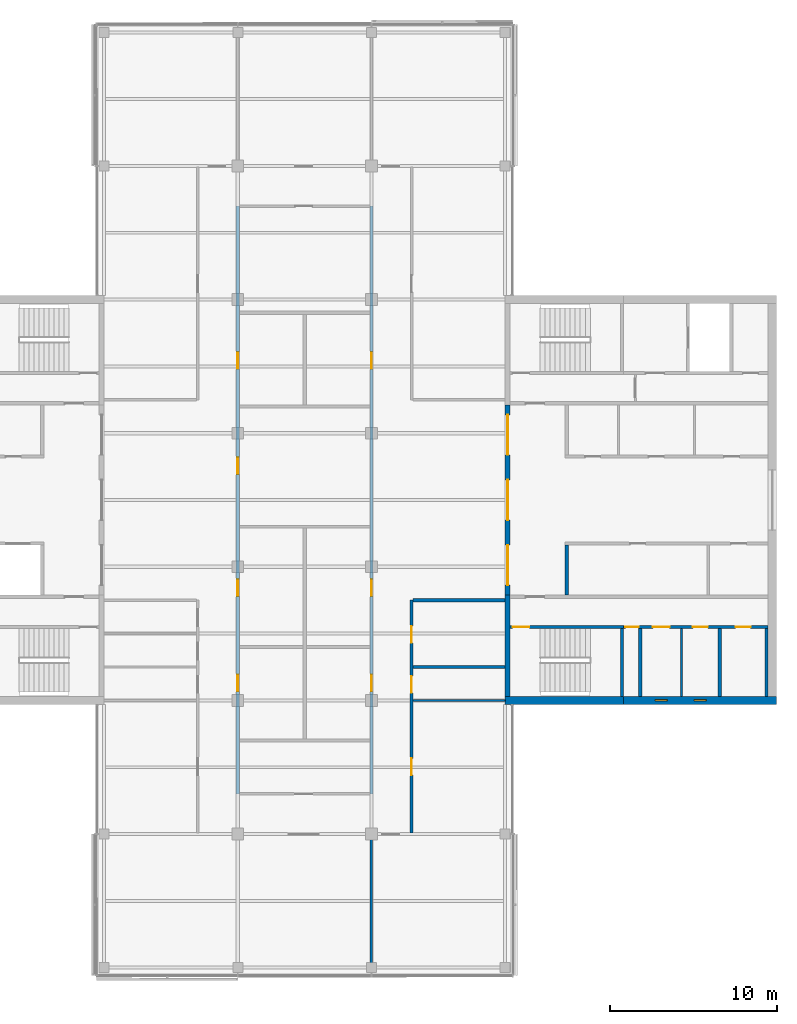
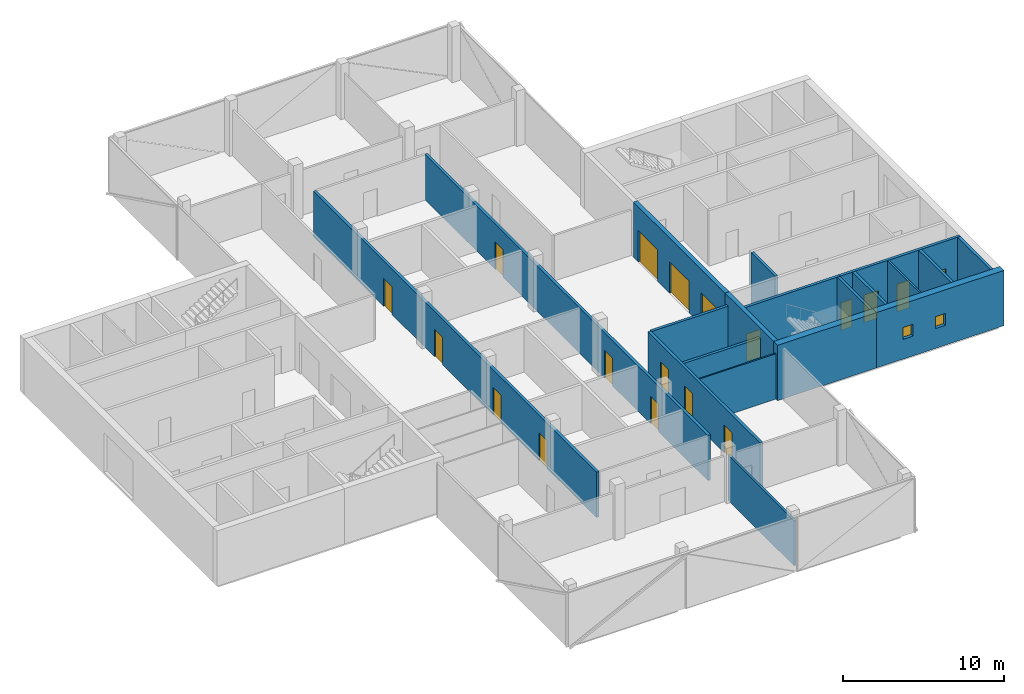
# One storey, part 10 of 16: 19 walls, 18 doors, 2 windows, 20 openings.
"""IFC4 building model written with IfcOpenShell, lengths in metres."""

from ifc_helpers import new_model, si_unit, direction, frame, frame_2d, origin, place, context, subcontext, project, spatial, rectangle, extrude, material, layer, layer_set, constituent, constituent_set, type_object, element, fill, save


model = new_model("IFC4")

# Units and contexts
model_context = context("Model", 3, precision=1e-05, world=origin(), true_north=direction((0.0, 1.0)))
body_context = subcontext(model_context, "Body", "Model", "MODEL_VIEW")
ifc_project = project(units=[si_unit("LENGTHUNIT", "METRE"), si_unit("AREAUNIT", "SQUARE_METRE"), si_unit("VOLUMEUNIT", "CUBIC_METRE"), si_unit("PLANEANGLEUNIT", "RADIAN"), si_unit("MASSUNIT", "GRAM", prefix="KILO")], contexts=[model_context])

# Site, building, storey
site_placement = place(None, origin())
site = spatial("IfcSite", under=ifc_project, at=site_placement, CompositionType="ELEMENT")
building_placement = place(site_placement, origin())
building = spatial("IfcBuilding", under=site, at=building_placement, Name="Crosswind Convention Tower", CompositionType="ELEMENT")
storey_placement = place(building_placement, frame((0.0, 0.0, 291.300048828125)))
storey = spatial("IfcBuildingStorey", under=building, at=storey_placement, Name="L63", CompositionType="ELEMENT", Elevation=291.300048828125)

# Wall
ifc_material_1 = material(Name="Concrete blockwork", Category="masonry")
ifc_layer_1 = layer(ifc_material_1, 0.199951171875)
ifc_layer_set_1 = layer_set([ifc_layer_1], Name="Blockwork partition wall 200")
wall_type_1 = type_object("IfcWallType", Name="Blockwork partition wall 200", PredefinedType="PARTITIONING", material=ifc_layer_set_1)
wall_1_placement = place(storey_placement, frame((145.10009765625, 88.25, 0.0), z_axis=(0.0, 0.0, 1.0), x_axis=(0.0, 1.0, 0.0)))
element("IfcWall", 1, at=wall_1_placement, inside=storey, type_object=wall_type_1, Name="Wall MRSE E L63", PredefinedType="PARTITIONING", context=body_context, shape_type="SweptSolid", body=[
    extrude(rectangle(XDim=4.050048828125, YDim=0.199951171875, at=frame_2d((2.02490234375, 0.0))), origin(), (0.0, 0.0, 1.0), 4.199951171875),
])

# Wall, openings, doors
ifc_layer_2 = layer(ifc_material_1, 0.199951171875)
ifc_layer_set_2 = layer_set([ifc_layer_2], Name="COMPARTMENT WALL 200 BLOCKWORK")
wall_type_2 = type_object("IfcWallType", Name="COMPARTMENT WALL 200 BLOCKWORK", PredefinedType="SOLIDWALL", material=ifc_layer_set_2)
wall_2_placement = place(storey_placement, frame((121.0, 82.39990234375, 0.0), z_axis=(0.0, 0.0, 1.0), x_axis=(0.0, 1.0, 0.0)))
wall_2 = element("IfcWall", 2, at=wall_2_placement, inside=storey, type_object=wall_type_2, Name="Compartment wall WT42", PredefinedType="SOLIDWALL", context=body_context, shape_type="SweptSolid", body=[
    extrude(rectangle(XDim=35.2001953125, YDim=0.199951171875, at=frame_2d((17.60009765625, 0.0))), origin(), (0.0, 0.0, 1.0), 3.44287109375),
])
opening_1_placement = place(wall_2_placement, frame((6.14990234375, 0.0, 0.0)))
opening_1 = element("IfcOpeningElement", 3, at=opening_1_placement, cuts=wall_2, Name="Opening L63-65", PredefinedType="OPENING", context=body_context, shape_type="SweptSolid", body=[
    extrude(rectangle(XDim=1.0, YDim=2.10009765625, at=frame_2d((0.5, 1.050048828125))), frame((0.0, 0.10986328125, 0.0), z_axis=(0.0, -1.0, 0.0), x_axis=(1.0, 0.0, 0.0)), (0.0, 0.0, 1.0), 0.219970703125),
])
opening_2_placement = place(wall_2_placement, frame((11.85009765625, 0.0, 0.0)))
opening_2 = element("IfcOpeningElement", 4, at=opening_2_placement, cuts=wall_2, Name="Opening L63-67", PredefinedType="OPENING", context=body_context, shape_type="SweptSolid", body=[
    extrude(rectangle(XDim=1.0, YDim=2.10009765625, at=frame_2d((0.5, 1.050048828125))), frame((0.0, 0.10986328125, 0.0), z_axis=(0.0, -1.0, 0.0), x_axis=(1.0, 0.0, 0.0)), (0.0, 0.0, 1.0), 0.219970703125),
])
opening_3_placement = place(wall_2_placement, frame((19.14990234375, 0.0, 0.0)))
opening_3 = element("IfcOpeningElement", 5, at=opening_3_placement, cuts=wall_2, Name="Opening L63-69", PredefinedType="OPENING", context=body_context, shape_type="SweptSolid", body=[
    extrude(rectangle(XDim=1.0, YDim=2.10009765625, at=frame_2d((0.5, 1.050048828125))), frame((0.0, 0.10986328125, 0.0), z_axis=(0.0, -1.0, 0.0), x_axis=(1.0, 0.0, 0.0)), (0.0, 0.0, 1.0), 0.219970703125),
])
opening_4_placement = place(wall_2_placement, frame((25.449951171875, 0.0, 0.0)))
opening_4 = element("IfcOpeningElement", 6, at=opening_4_placement, cuts=wall_2, Name="Opening L63-70", PredefinedType="OPENING", context=body_context, shape_type="SweptSolid", body=[
    extrude(rectangle(XDim=1.0, YDim=2.10009765625, at=frame_2d((0.5, 1.050048828125))), frame((0.0, 0.10986328125, 0.0), z_axis=(0.0, -1.0, 0.0), x_axis=(1.0, 0.0, 0.0)), (0.0, 0.0, 1.0), 0.219970703125),
])
ifc_material_2 = material(Name="Steel fire door", Category="steel")
door_type_1 = type_object("IfcDoorType", Name="PLANT ROOM DOOR 1000X2100 FD60", OperationType="NOTDEFINED", PredefinedType="DOOR", material=ifc_material_2)
door_1_placement = place(opening_4_placement, frame((1.0, 0.0, 0.0), z_axis=(0.0, 0.0, 1.0), x_axis=(-1.0, 0.0, 0.0)))
door_1 = element("IfcDoor", 7, at=door_1_placement, inside=storey, type_object=door_type_1, Name="Door L63-70", ObjectType="D43", OperationType="SINGLE_SWING_RIGHT", OverallHeight=2.10009765625, OverallWidth=1.0, PredefinedType="DOOR", context=body_context, shape_type="SweptSolid", body=[
    extrude(rectangle(XDim=1.0, YDim=2.10009765625, at=frame_2d((0.5, 1.050048828125))), frame((0.0, 0.02490234375, 0.0), z_axis=(0.0, -1.0, 0.0), x_axis=(1.0, 0.0, 0.0)), (0.0, 0.0, 1.0), 0.050048828125),
])
fill(opening_4, door_1)
ifc_material_3 = material(Name="Timber fire door", Category="wood")
door_type_2 = type_object("IfcDoorType", Name="TENANCY ENTRANCE DOOR 1000X2100 FD30S", OperationType="NOTDEFINED", PredefinedType="DOOR", material=ifc_material_3)
door_2_placement = place(opening_1_placement, frame((1.0, 0.0, 0.0), z_axis=(0.0, 0.0, 1.0), x_axis=(-1.0, 0.0, 0.0)))
door_2 = element("IfcDoor", 8, at=door_2_placement, inside=storey, type_object=door_type_2, Name="Door L63-65", ObjectType="D41", OperationType="SINGLE_SWING_RIGHT", OverallHeight=2.10009765625, OverallWidth=1.0, PredefinedType="DOOR", context=body_context, shape_type="SweptSolid", body=[
    extrude(rectangle(XDim=1.0, YDim=2.10009765625, at=frame_2d((0.5, 1.050048828125))), frame((0.0, 0.02490234375, 0.0), z_axis=(0.0, -1.0, 0.0), x_axis=(1.0, 0.0, 0.0)), (0.0, 0.0, 1.0), 0.050048828125),
])
fill(opening_1, door_2)
door_3_placement = place(opening_2_placement, frame((1.0, 0.0, 0.0), z_axis=(0.0, 0.0, 1.0), x_axis=(-1.0, 0.0, 0.0)))
door_3 = element("IfcDoor", 9, at=door_3_placement, inside=storey, type_object=door_type_2, Name="Door L63-67", ObjectType="D41", OperationType="SINGLE_SWING_LEFT", OverallHeight=2.10009765625, OverallWidth=1.0, PredefinedType="DOOR", context=body_context, shape_type="SweptSolid", body=[
    extrude(rectangle(XDim=1.0, YDim=2.10009765625, at=frame_2d((0.5, 1.050048828125))), frame((0.0, 0.02490234375, 0.0), z_axis=(0.0, -1.0, 0.0), x_axis=(1.0, 0.0, 0.0)), (0.0, 0.0, 1.0), 0.050048828125),
])
fill(opening_2, door_3)
door_4_placement = place(opening_3_placement, frame((1.0, 0.0, 0.0), z_axis=(0.0, 0.0, 1.0), x_axis=(-1.0, 0.0, 0.0)))
door_4 = element("IfcDoor", 10, at=door_4_placement, inside=storey, type_object=door_type_2, Name="Door L63-69", ObjectType="D41", OperationType="SINGLE_SWING_LEFT", OverallHeight=2.10009765625, OverallWidth=1.0, PredefinedType="DOOR", context=body_context, shape_type="SweptSolid", body=[
    extrude(rectangle(XDim=1.0, YDim=2.10009765625, at=frame_2d((0.5, 1.050048828125))), frame((0.0, 0.02490234375, 0.0), z_axis=(0.0, -1.0, 0.0), x_axis=(1.0, 0.0, 0.0)), (0.0, 0.0, 1.0), 0.050048828125),
])
fill(opening_3, door_4)

wall_3_placement = place(storey_placement, frame((129.0, 82.39990234375, 0.0), z_axis=(0.0, 0.0, 1.0), x_axis=(0.0, 1.0, 0.0)))
wall_3 = element("IfcWall", 11, at=wall_3_placement, inside=storey, type_object=wall_type_2, Name="Compartment wall WT42", PredefinedType="SOLIDWALL", context=body_context, shape_type="SweptSolid", body=[
    extrude(rectangle(XDim=35.2001953125, YDim=0.199951171875, at=frame_2d((17.60009765625, 0.0))), origin(), (0.0, 0.0, 1.0), 3.44287109375),
])
opening_5_placement = place(wall_3_placement, frame((6.14990234375, 0.0, 0.0)))
opening_5 = element("IfcOpeningElement", 12, at=opening_5_placement, cuts=wall_3, Name="Opening L63-66", PredefinedType="OPENING", context=body_context, shape_type="SweptSolid", body=[
    extrude(rectangle(XDim=1.0, YDim=2.10009765625, at=frame_2d((0.5, 1.050048828125))), frame((0.0, 0.10986328125, 0.0), z_axis=(0.0, -1.0, 0.0), x_axis=(1.0, 0.0, 0.0)), (0.0, 0.0, 1.0), 0.219970703125),
])
opening_6_placement = place(wall_3_placement, frame((11.85009765625, 0.0, 0.0)))
opening_6 = element("IfcOpeningElement", 13, at=opening_6_placement, cuts=wall_3, Name="Opening L63-68", PredefinedType="OPENING", context=body_context, shape_type="SweptSolid", body=[
    extrude(rectangle(XDim=1.0, YDim=2.10009765625, at=frame_2d((0.5, 1.050048828125))), frame((0.0, 0.10986328125, 0.0), z_axis=(0.0, -1.0, 0.0), x_axis=(1.0, 0.0, 0.0)), (0.0, 0.0, 1.0), 0.219970703125),
])
opening_7_placement = place(wall_3_placement, frame((25.449951171875, 0.0, 0.0)))
opening_7 = element("IfcOpeningElement", 14, at=opening_7_placement, cuts=wall_3, Name="Opening L63-71", PredefinedType="OPENING", context=body_context, shape_type="SweptSolid", body=[
    extrude(rectangle(XDim=1.0, YDim=2.10009765625, at=frame_2d((0.5, 1.050048828125))), frame((0.0, 0.10986328125, 0.0), z_axis=(0.0, -1.0, 0.0), x_axis=(1.0, 0.0, 0.0)), (0.0, 0.0, 1.0), 0.219970703125),
])
door_5_placement = place(opening_5_placement, origin())
door_5 = element("IfcDoor", 15, at=door_5_placement, inside=storey, type_object=door_type_1, Name="Door L63-66", ObjectType="D43", OperationType="SINGLE_SWING_LEFT", OverallHeight=2.10009765625, OverallWidth=1.0, PredefinedType="DOOR", context=body_context, shape_type="SweptSolid", body=[
    extrude(rectangle(XDim=1.0, YDim=2.10009765625, at=frame_2d((0.5, 1.050048828125))), frame((0.0, 0.02490234375, 0.0), z_axis=(0.0, -1.0, 0.0), x_axis=(1.0, 0.0, 0.0)), (0.0, 0.0, 1.0), 0.050048828125),
])
fill(opening_5, door_5)
door_6_placement = place(opening_6_placement, origin())
door_6 = element("IfcDoor", 16, at=door_6_placement, inside=storey, type_object=door_type_2, Name="Door L63-68", ObjectType="D41", OperationType="SINGLE_SWING_RIGHT", OverallHeight=2.10009765625, OverallWidth=1.0, PredefinedType="DOOR", context=body_context, shape_type="SweptSolid", body=[
    extrude(rectangle(XDim=1.0, YDim=2.10009765625, at=frame_2d((0.5, 1.050048828125))), frame((0.0, 0.02490234375, 0.0), z_axis=(0.0, -1.0, 0.0), x_axis=(1.0, 0.0, 0.0)), (0.0, 0.0, 1.0), 0.050048828125),
])
fill(opening_6, door_6)
door_7_placement = place(opening_7_placement, origin())
door_7 = element("IfcDoor", 17, at=door_7_placement, inside=storey, type_object=door_type_2, Name="Door L63-71", ObjectType="D41", OperationType="SINGLE_SWING_LEFT", OverallHeight=2.10009765625, OverallWidth=1.0, PredefinedType="DOOR", context=body_context, shape_type="SweptSolid", body=[
    extrude(rectangle(XDim=1.0, YDim=2.10009765625, at=frame_2d((0.5, 1.050048828125))), frame((0.0, 0.02490234375, 0.0), z_axis=(0.0, -1.0, 0.0), x_axis=(1.0, 0.0, 0.0)), (0.0, 0.0, 1.0), 0.050048828125),
])
fill(opening_7, door_7)

wall_4_placement = place(storey_placement, frame((131.39990234375, 80.074951171875, 0.0), z_axis=(0.0, 0.0, 1.0), x_axis=(0.0, 1.0, 0.0)))
wall_4 = element("IfcWall", 18, at=wall_4_placement, inside=storey, type_object=wall_type_2, Name="Compartment wall WT42", PredefinedType="SOLIDWALL", context=body_context, shape_type="SweptSolid", body=[
    extrude(rectangle(XDim=13.925048828125, YDim=0.199951171875, at=frame_2d((6.96240234375, 0.0))), origin(), (0.0, 0.0, 1.0), 3.44287109375),
])
opening_8_placement = place(wall_4_placement, frame((11.375, 0.0, 0.0)))
opening_8 = element("IfcOpeningElement", 19, at=opening_8_placement, cuts=wall_4, Name="Opening L63-51", PredefinedType="OPENING", context=body_context, shape_type="SweptSolid", body=[
    extrude(rectangle(XDim=1.0, YDim=2.10009765625, at=frame_2d((0.5, 1.050048828125))), frame((0.0, 0.10986328125, 0.0), z_axis=(0.0, -1.0, 0.0), x_axis=(1.0, 0.0, 0.0)), (0.0, 0.0, 1.0), 0.219970703125),
])
opening_9_placement = place(wall_4_placement, frame((8.375, 0.0, 0.0)))
opening_9 = element("IfcOpeningElement", 20, at=opening_9_placement, cuts=wall_4, Name="Opening L63-52", PredefinedType="OPENING", context=body_context, shape_type="SweptSolid", body=[
    extrude(rectangle(XDim=1.0, YDim=2.10009765625, at=frame_2d((0.5, 1.050048828125))), frame((0.0, 0.10986328125, 0.0), z_axis=(0.0, -1.0, 0.0), x_axis=(1.0, 0.0, 0.0)), (0.0, 0.0, 1.0), 0.219970703125),
])
opening_10_placement = place(wall_4_placement, frame((3.449951171875, 0.0, 0.0)))
opening_10 = element("IfcOpeningElement", 21, at=opening_10_placement, cuts=wall_4, Name="Opening L63-53", PredefinedType="OPENING", context=body_context, shape_type="SweptSolid", body=[
    extrude(rectangle(XDim=1.0, YDim=2.10009765625, at=frame_2d((0.5, 1.050048828125))), frame((0.0, 0.10986328125, 0.0), z_axis=(0.0, -1.0, 0.0), x_axis=(1.0, 0.0, 0.0)), (0.0, 0.0, 1.0), 0.219970703125),
])
door_8_placement = place(opening_8_placement, frame((1.0, 0.0, 0.0), z_axis=(0.0, 0.0, 1.0), x_axis=(-1.0, 0.0, 0.0)))
door_8 = element("IfcDoor", 22, at=door_8_placement, inside=storey, type_object=door_type_1, Name="Door L63-51", ObjectType="D43", OperationType="SINGLE_SWING_RIGHT", OverallHeight=2.10009765625, OverallWidth=1.0, PredefinedType="DOOR", context=body_context, shape_type="SweptSolid", body=[
    extrude(rectangle(XDim=1.0, YDim=2.10009765625, at=frame_2d((0.5, 1.050048828125))), frame((0.0, 0.02490234375, 0.0), z_axis=(0.0, -1.0, 0.0), x_axis=(1.0, 0.0, 0.0)), (0.0, 0.0, 1.0), 0.050048828125),
])
fill(opening_8, door_8)
door_9_placement = place(opening_9_placement, frame((1.0, 0.0, 0.0), z_axis=(0.0, 0.0, 1.0), x_axis=(-1.0, 0.0, 0.0)))
door_9 = element("IfcDoor", 23, at=door_9_placement, inside=storey, type_object=door_type_2, Name="Door L63-52", ObjectType="D41", OperationType="SINGLE_SWING_LEFT", OverallHeight=2.10009765625, OverallWidth=1.0, PredefinedType="DOOR", context=body_context, shape_type="SweptSolid", body=[
    extrude(rectangle(XDim=1.0, YDim=2.10009765625, at=frame_2d((0.5, 1.050048828125))), frame((0.0, 0.02490234375, 0.0), z_axis=(0.0, -1.0, 0.0), x_axis=(1.0, 0.0, 0.0)), (0.0, 0.0, 1.0), 0.050048828125),
])
fill(opening_9, door_9)
door_10_placement = place(opening_10_placement, frame((1.0, 0.0, 0.0), z_axis=(0.0, 0.0, 1.0), x_axis=(-1.0, 0.0, 0.0)))
door_10 = element("IfcDoor", 24, at=door_10_placement, inside=storey, type_object=door_type_2, Name="Door L63-53", ObjectType="D41", OperationType="SINGLE_SWING_LEFT", OverallHeight=2.10009765625, OverallWidth=1.0, PredefinedType="DOOR", context=body_context, shape_type="SweptSolid", body=[
    extrude(rectangle(XDim=1.0, YDim=2.10009765625, at=frame_2d((0.5, 1.050048828125))), frame((0.0, 0.02490234375, 0.0), z_axis=(0.0, -1.0, 0.0), x_axis=(1.0, 0.0, 0.0)), (0.0, 0.0, 1.0), 0.050048828125),
])
fill(opening_10, door_10)

# Walls
for number, where, z_axis, x_axis, name in (
    (25, (131.5, 90.0, 0.0), (0.0, 0.0, 1.0), (1.0, 0.0, 0.0), "Compartment wall WT42"),
    (26, (131.5, 94.0, 0.0), (0.0, 0.0, 1.0), (1.0, 0.0, 0.0), "Compartment wall WT42"),
):
    element("IfcWall", number, at=place(storey_placement, frame(where, z_axis=z_axis, x_axis=x_axis)), inside=storey, type_object=wall_type_2, Name=name, PredefinedType="SOLIDWALL", context=body_context, shape_type="SweptSolid", body=[
        extrude(rectangle(XDim=5.5, YDim=0.199951171875, at=frame_2d((2.75, 0.0))), origin(), (0.0, 0.0, 1.0), 3.44287109375),
    ])

# Wall, openings, doors
ifc_material_4 = material(Name="Concrete C50/60", Category="concrete")
ifc_layer_3 = layer(ifc_material_4, 0.300048828125)
ifc_layer_set_3 = layer_set([ifc_layer_3], Name="Concrete C50/60")
wall_type_3 = type_object("IfcWallType", Name="Concrete inner core wall 300", PredefinedType="SHEAR", material=ifc_layer_set_3)
wall_5_placement = place(storey_placement, frame((137.14990234375, 94.300048828125, 0.0), z_axis=(0.0, 0.0, 1.0), x_axis=(0.0, 1.0, 0.0)))
wall_5 = element("IfcWall", 27, at=wall_5_placement, inside=storey, type_object=wall_type_3, Name="Wall SCR E L63", PredefinedType="SHEAR", context=body_context, shape_type="SweptSolid", body=[
    extrude(rectangle(XDim=11.39990234375, YDim=0.300048828125, at=frame_2d((5.699951171875, 0.0))), origin(), (0.0, 0.0, 1.0), 4.199951171875),
])
opening_11_placement = place(wall_5_placement, frame((0.60009765625, 0.0, 0.0)))
opening_11 = element("IfcOpeningElement", 28, at=opening_11_placement, cuts=wall_5, Name="Opening D100", PredefinedType="OPENING", context=body_context, shape_type="SweptSolid", body=[
    extrude(rectangle(XDim=2.39990234375, YDim=2.39990234375, at=frame_2d((1.199951171875, 1.199951171875))), frame((0.0, 0.159912109375, 0.0), z_axis=(0.0, -1.0, 0.0), x_axis=(1.0, 0.0, 0.0)), (0.0, 0.0, 1.0), 0.320068359375),
])
opening_12_placement = place(wall_5_placement, frame((4.5, 0.0, 0.0)))
opening_12 = element("IfcOpeningElement", 29, at=opening_12_placement, cuts=wall_5, Name="Opening D100", PredefinedType="OPENING", context=body_context, shape_type="SweptSolid", body=[
    extrude(rectangle(XDim=2.39990234375, YDim=2.39990234375, at=frame_2d((1.199951171875, 1.199951171875))), frame((0.0, 0.159912109375, 0.0), z_axis=(0.0, -1.0, 0.0), x_axis=(1.0, 0.0, 0.0)), (0.0, 0.0, 1.0), 0.320068359375),
])
opening_13_placement = place(wall_5_placement, frame((8.39990234375, 0.0, 0.0)))
opening_13 = element("IfcOpeningElement", 30, at=opening_13_placement, cuts=wall_5, Name="Opening D100", PredefinedType="OPENING", context=body_context, shape_type="SweptSolid", body=[
    extrude(rectangle(XDim=2.39990234375, YDim=2.39990234375, at=frame_2d((1.199951171875, 1.199951171875))), frame((0.0, 0.159912109375, 0.0), z_axis=(0.0, -1.0, 0.0), x_axis=(1.0, 0.0, 0.0)), (0.0, 0.0, 1.0), 0.320068359375),
])
ifc_material_5 = material(Name="Steel fire door with glazed vision panels", Category="steel")
door_type_3 = type_object("IfcDoorType", Name="Fire-rated double door 2400x2400", OperationType="DOUBLE_DOOR_SINGLE_SWING", PredefinedType="DOOR", material=ifc_material_5)
door_11_placement = place(opening_11_placement, origin())
door_11 = element("IfcDoor", 31, at=door_11_placement, inside=storey, type_object=door_type_3, Name="Lobby door 1 L63", ObjectType="D100", OperationType="DOUBLE_DOOR_SINGLE_SWING", OverallHeight=2.39990234375, OverallWidth=2.39990234375, PredefinedType="DOOR", context=body_context, shape_type="SweptSolid", body=[
    extrude(rectangle(XDim=2.39990234375, YDim=2.39990234375, at=frame_2d((1.199951171875, 1.199951171875))), frame((0.0, 0.02490234375, 0.0), z_axis=(0.0, -1.0, 0.0), x_axis=(1.0, 0.0, 0.0)), (0.0, 0.0, 1.0), 0.050048828125),
])
fill(opening_11, door_11)
door_12_placement = place(opening_12_placement, origin())
door_12 = element("IfcDoor", 32, at=door_12_placement, inside=storey, type_object=door_type_3, Name="Lobby door 2 L63", ObjectType="D100", OperationType="DOUBLE_DOOR_SINGLE_SWING", OverallHeight=2.39990234375, OverallWidth=2.39990234375, PredefinedType="DOOR", context=body_context, shape_type="SweptSolid", body=[
    extrude(rectangle(XDim=2.39990234375, YDim=2.39990234375, at=frame_2d((1.199951171875, 1.199951171875))), frame((0.0, 0.02490234375, 0.0), z_axis=(0.0, -1.0, 0.0), x_axis=(1.0, 0.0, 0.0)), (0.0, 0.0, 1.0), 0.050048828125),
])
fill(opening_12, door_12)
door_13_placement = place(opening_13_placement, origin())
door_13 = element("IfcDoor", 33, at=door_13_placement, inside=storey, type_object=door_type_3, Name="Lobby door 3 L63", ObjectType="D100", OperationType="DOUBLE_DOOR_SINGLE_SWING", OverallHeight=2.39990234375, OverallWidth=2.39990234375, PredefinedType="DOOR", context=body_context, shape_type="SweptSolid", body=[
    extrude(rectangle(XDim=2.39990234375, YDim=2.39990234375, at=frame_2d((1.199951171875, 1.199951171875))), frame((0.0, 0.02490234375, 0.0), z_axis=(0.0, -1.0, 0.0), x_axis=(1.0, 0.0, 0.0)), (0.0, 0.0, 1.0), 0.050048828125),
])
fill(opening_13, door_13)

# Walls
wall_6_placement = place(storey_placement, frame((137.14990234375, 88.25, 0.0), z_axis=(0.0, 0.0, 1.0), x_axis=(0.0, 1.0, 0.0)))
element("IfcWall", 34, at=wall_6_placement, inside=storey, type_object=wall_type_3, Name="Wall EM E L63", PredefinedType="SHEAR", context=body_context, shape_type="SweptSolid", body=[
    extrude(rectangle(XDim=6.050048828125, YDim=0.300048828125, at=frame_2d((3.02490234375, 0.0))), origin(), (0.0, 0.0, 1.0), 4.199951171875),
])
ifc_layer_4 = layer(ifc_material_4, 0.199951171875)
ifc_layer_set_4 = layer_set([ifc_layer_4], Name="Concrete C50/60")
wall_type_4 = type_object("IfcWallType", Name="Concrete shaft and stair wall 200", PredefinedType="SHEAR", material=ifc_layer_set_4)
wall_7_placement = place(storey_placement, frame((140.699951171875, 94.300048828125, 0.0), z_axis=(0.0, 0.0, 1.0), x_axis=(0.0, 1.0, 0.0)))
element("IfcWall", 35, at=wall_7_placement, inside=storey, type_object=wall_type_4, Name="Wall RMEND E L63", PredefinedType="SHEAR", context=body_context, shape_type="SweptSolid", body=[
    extrude(rectangle(XDim=3.0, YDim=0.199951171875, at=frame_2d((1.5, 0.0))), origin(), (0.0, 0.0, 1.0), 4.199951171875),
])
for number, where, z_axis, x_axis, name in (
    (36, (144.0, 88.25, 0.0), (0.0, 0.0, 1.0), (0.0, 1.0, 0.0), "Wall MSE E L63"),
    (37, (149.85009765625, 88.25, 0.0), (0.0, 0.0, 1.0), (0.0, 1.0, 0.0), "Wall MFSW E L63"),
    (38, (152.64990234375, 88.25, 0.0), (0.0, 0.0, 1.0), (0.0, 1.0, 0.0), "Wall MFSE E L63"),
):
    element("IfcWall", number, at=place(storey_placement, frame(where, z_axis=z_axis, x_axis=x_axis)), inside=storey, type_object=wall_type_4, Name=name, PredefinedType="SHEAR", context=body_context, shape_type="SweptSolid", body=[
        extrude(rectangle(XDim=4.050048828125, YDim=0.199951171875, at=frame_2d((2.02490234375, 0.0))), origin(), (0.0, 0.0, 1.0), 4.199951171875),
    ])

# Wall, opening, door
wall_8_placement = place(storey_placement, frame((137.300048828125, 92.39990234375, 0.0), z_axis=(0.0, 0.0, 1.0), x_axis=(1.0, 0.0, 0.0)))
wall_8 = element("IfcWall", 39, at=wall_8_placement, inside=storey, type_object=wall_type_4, Name="Wall MCW E L63", PredefinedType="SHEAR", context=body_context, shape_type="SweptSolid", body=[
    extrude(rectangle(XDim=6.800048828125, YDim=0.199951171875, at=frame_2d((3.39990234375, 0.0))), origin(), (0.0, 0.0, 1.0), 4.199951171875),
])
opening_14_placement = place(wall_8_placement, frame((0.14990234375, 0.0, 0.0)))
opening_14 = element("IfcOpeningElement", 40, at=opening_14_placement, cuts=wall_8, Name="Opening D103", PredefinedType="OPENING", context=body_context, shape_type="SweptSolid", body=[
    extrude(rectangle(XDim=1.0, YDim=2.10009765625, at=frame_2d((0.5, 1.050048828125))), frame((0.0, 0.10986328125, 0.0), z_axis=(0.0, -1.0, 0.0), x_axis=(1.0, 0.0, 0.0)), (0.0, 0.0, 1.0), 0.219970703125),
])
door_type_4 = type_object("IfcDoorType", Name="Fire-rated single door 1000x2100", OperationType="NOTDEFINED", PredefinedType="DOOR", material=ifc_material_2)
door_14_placement = place(opening_14_placement, frame((1.0, 0.0, 0.0), z_axis=(0.0, 0.0, 1.0), x_axis=(-1.0, 0.0, 0.0)))
door_14 = element("IfcDoor", 41, at=door_14_placement, inside=storey, type_object=door_type_4, Name="Stair ST2 door L63", ObjectType="D103", OperationType="SINGLE_SWING_RIGHT", OverallHeight=2.10009765625, OverallWidth=1.0, PredefinedType="DOOR", context=body_context, shape_type="SweptSolid", body=[
    extrude(rectangle(XDim=1.0, YDim=2.10009765625, at=frame_2d((0.5, 1.050048828125))), frame((0.0, 0.02490234375, 0.0), z_axis=(0.0, -1.0, 0.0), x_axis=(1.0, 0.0, 0.0)), (0.0, 0.0, 1.0), 0.050048828125),
])
fill(opening_14, door_14)

# Wall, openings, doors
wall_9_placement = place(storey_placement, frame((144.10009765625, 92.39990234375, 0.0), z_axis=(0.0, 0.0, 1.0), x_axis=(1.0, 0.0, 0.0)))
wall_9 = element("IfcWall", 42, at=wall_9_placement, inside=storey, type_object=wall_type_4, Name="Wall MCX E L63", PredefinedType="SHEAR", context=body_context, shape_type="SweptSolid", body=[
    extrude(rectangle(XDim=8.64990234375, YDim=0.199951171875, at=frame_2d((4.324951171875, 0.0))), origin(), (0.0, 0.0, 1.0), 4.199951171875),
])
opening_15_placement = place(wall_9_placement, frame((0.10009765625, 0.0, 0.0)))
opening_15 = element("IfcOpeningElement", 43, at=opening_15_placement, cuts=wall_9, Name="Opening D105", PredefinedType="OPENING", context=body_context, shape_type="SweptSolid", body=[
    extrude(rectangle(XDim=0.800048828125, YDim=2.10009765625, at=frame_2d((0.39990234375, 1.050048828125))), frame((0.0, 0.10986328125, 0.0), z_axis=(0.0, -1.0, 0.0), x_axis=(1.0, 0.0, 0.0)), (0.0, 0.0, 1.0), 0.219970703125),
])
opening_16_placement = place(wall_9_placement, frame((1.751708984375, 0.0, 0.0)))
opening_16 = element("IfcOpeningElement", 44, at=opening_16_placement, cuts=wall_9, Name="Opening D103", PredefinedType="OPENING", context=body_context, shape_type="SweptSolid", body=[
    extrude(rectangle(XDim=1.0, YDim=2.10009765625, at=frame_2d((0.5, 1.050048828125))), frame((0.0, 0.10986328125, 0.0), z_axis=(0.0, -1.0, 0.0), x_axis=(1.0, 0.0, 0.0)), (0.0, 0.0, 1.0), 0.219970703125),
])
opening_17_placement = place(wall_9_placement, frame((4.13916015625, 0.0, 0.0)))
opening_17 = element("IfcOpeningElement", 45, at=opening_17_placement, cuts=wall_9, Name="Opening D106", PredefinedType="OPENING", context=body_context, shape_type="SweptSolid", body=[
    extrude(rectangle(XDim=0.89990234375, YDim=2.10009765625, at=frame_2d((0.449951171875, 1.050048828125))), frame((0.0, 0.10986328125, 0.0), z_axis=(0.0, -1.0, 0.0), x_axis=(1.0, 0.0, 0.0)), (0.0, 0.0, 1.0), 0.219970703125),
])
opening_18_placement = place(wall_9_placement, frame((6.699951171875, 0.0, 0.0)))
opening_18 = element("IfcOpeningElement", 46, at=opening_18_placement, cuts=wall_9, Name="Opening D106", PredefinedType="OPENING", context=body_context, shape_type="SweptSolid", body=[
    extrude(rectangle(XDim=0.89990234375, YDim=2.10009765625, at=frame_2d((0.449951171875, 1.050048828125))), frame((0.0, 0.10986328125, 0.0), z_axis=(0.0, -1.0, 0.0), x_axis=(1.0, 0.0, 0.0)), (0.0, 0.0, 1.0), 0.219970703125),
])
door_15_placement = place(opening_16_placement, frame((1.0, 0.0, 0.0), z_axis=(0.0, 0.0, 1.0), x_axis=(-1.0, 0.0, 0.0)))
door_15 = element("IfcDoor", 47, at=door_15_placement, inside=storey, type_object=door_type_4, Name="Door to accessible wc L63", ObjectType="D103", OperationType="SINGLE_SWING_LEFT", OverallHeight=2.10009765625, OverallWidth=1.0, PredefinedType="DOOR", context=body_context, shape_type="SweptSolid", body=[
    extrude(rectangle(XDim=1.0, YDim=2.10009765625, at=frame_2d((0.5, 1.050048828125))), frame((0.0, 0.02490234375, 0.0), z_axis=(0.0, -1.0, 0.0), x_axis=(1.0, 0.0, 0.0)), (0.0, 0.0, 1.0), 0.050048828125),
])
fill(opening_16, door_15)
door_type_5 = type_object("IfcDoorType", Name="Riser access door 800x2100", OperationType="NOTDEFINED", PredefinedType="DOOR", material=ifc_material_2)
door_16_placement = place(opening_15_placement, frame((0.800048828125, 0.0, 0.0), z_axis=(0.0, 0.0, 1.0), x_axis=(-1.0, 0.0, 0.0)))
door_16 = element("IfcDoor", 48, at=door_16_placement, inside=storey, type_object=door_type_5, Name="Riser door L63", ObjectType="D105", OperationType="SINGLE_SWING_LEFT", OverallHeight=2.10009765625, OverallWidth=0.800048828125, PredefinedType="DOOR", context=body_context, shape_type="SweptSolid", body=[
    extrude(rectangle(XDim=0.800048828125, YDim=2.10009765625, at=frame_2d((0.39990234375, 1.050048828125))), frame((0.0, 0.02490234375, 0.0), z_axis=(0.0, -1.0, 0.0), x_axis=(1.0, 0.0, 0.0)), (0.0, 0.0, 1.0), 0.050048828125),
])
fill(opening_15, door_16)
ifc_material_6 = material(Name="Timber door", Category="wood")
door_type_6 = type_object("IfcDoorType", Name="Single leaf door 900x2100", OperationType="NOTDEFINED", PredefinedType="DOOR", material=ifc_material_6)
door_17_placement = place(opening_17_placement, frame((0.89990234375, 0.0, 0.0), z_axis=(0.0, 0.0, 1.0), x_axis=(-1.0, 0.0, 0.0)))
door_17 = element("IfcDoor", 49, at=door_17_placement, inside=storey, type_object=door_type_6, Name="Door to wc L63", ObjectType="D106", OperationType="SINGLE_SWING_LEFT", OverallHeight=2.10009765625, OverallWidth=0.89990234375, PredefinedType="DOOR", context=body_context, shape_type="SweptSolid", body=[
    extrude(rectangle(XDim=0.89990234375, YDim=2.10009765625, at=frame_2d((0.449951171875, 1.050048828125))), frame((0.0, 0.02490234375, 0.0), z_axis=(0.0, -1.0, 0.0), x_axis=(1.0, 0.0, 0.0)), (0.0, 0.0, 1.0), 0.050048828125),
])
fill(opening_17, door_17)
door_18_placement = place(opening_18_placement, frame((0.89990234375, 0.0, 0.0), z_axis=(0.0, 0.0, 1.0), x_axis=(-1.0, 0.0, 0.0)))
door_18 = element("IfcDoor", 50, at=door_18_placement, inside=storey, type_object=door_type_6, Name="Door to wc L63", ObjectType="D106", OperationType="SINGLE_SWING_LEFT", OverallHeight=2.10009765625, OverallWidth=0.89990234375, PredefinedType="DOOR", context=body_context, shape_type="SweptSolid", body=[
    extrude(rectangle(XDim=0.89990234375, YDim=2.10009765625, at=frame_2d((0.449951171875, 1.050048828125))), frame((0.0, 0.02490234375, 0.0), z_axis=(0.0, -1.0, 0.0), x_axis=(1.0, 0.0, 0.0)), (0.0, 0.0, 1.0), 0.050048828125),
])
fill(opening_18, door_18)

# Walls
ifc_material_7 = material(Name="Gypsum plasterboard partition", Category="gypsum")
ifc_layer_5 = layer(ifc_material_7, 0.125)
ifc_layer_set_5 = layer_set([ifc_layer_5], Name="Drywall partition wall 125")
wall_type_5 = type_object("IfcWallType", Name="Drywall partition wall 125", PredefinedType="PARTITIONING", material=ifc_layer_set_5)
wall_10_placement = place(storey_placement, frame((147.56591796875, 88.25, 0.0), z_axis=(0.0, 0.0, 1.0), x_axis=(0.0, 1.0, 0.0)))
element("IfcWall", 51, at=wall_10_placement, inside=storey, type_object=wall_type_5, Name="Wall MWP1 E L63", PredefinedType="PARTITIONING", context=body_context, shape_type="SweptSolid", body=[
    extrude(rectangle(XDim=4.050048828125, YDim=0.125, at=frame_2d((2.02490234375, 0.0))), origin(), (0.0, 0.0, 1.0), 4.199951171875),
])
ifc_material_8 = material(Name="Plasterboard partition", Category="gypsum")
ifc_layer_6 = layer(ifc_material_8, 0.10009765625)
ifc_layer_set_6 = layer_set([ifc_layer_6], Name="PARTITION 100 METAL STUD")
wall_type_6 = type_object("IfcWallType", Name="PARTITION 100 METAL STUD", PredefinedType="PARTITIONING", material=ifc_layer_set_6)
wall_11_placement = place(storey_placement, frame((131.5, 88.0, 0.0), z_axis=(0.0, 0.0, 1.0), x_axis=(1.0, 0.0, 0.0)))
element("IfcWall", 52, at=wall_11_placement, inside=storey, type_object=wall_type_6, Name="Partition wall WT40", PredefinedType="PARTITIONING", context=body_context, shape_type="SweptSolid", body=[
    extrude(rectangle(XDim=5.5, YDim=0.10009765625, at=frame_2d((2.75, 0.0))), origin(), (0.0, 0.0, 1.0), 3.44287109375),
])
ifc_material_9 = material(Name="Fire-board partition with mineral wool", Category="gypsum")
ifc_layer_7 = layer(ifc_material_9, 0.14990234375)
ifc_layer_set_7 = layer_set([ifc_layer_7], Name="TENANCY WALL 150 TWO-HOUR BOARD")
wall_type_7 = type_object("IfcWallType", Name="TENANCY WALL 150 TWO-HOUR BOARD", PredefinedType="PARTITIONING", material=ifc_layer_set_7)
wall_12_placement = place(storey_placement, frame((129.0, 71.72998046875, 0.0), z_axis=(0.0, 0.0, 1.0), x_axis=(0.0, 1.0, 0.0)))
element("IfcWall", 53, at=wall_12_placement, inside=storey, type_object=wall_type_7, Name="Tenancy wall WT41", PredefinedType="PARTITIONING", context=body_context, shape_type="SweptSolid", body=[
    extrude(rectangle(XDim=8.195068359375, YDim=0.14990234375, at=frame_2d((4.09765625, 0.0))), origin(), (0.0, 0.0, 1.0), 3.44287109375),
])
ifc_material_10 = material(Name="Concrete C60/75", Category="concrete")
ifc_constituent_1 = constituent(ifc_material_10, Name="Structure")
ifc_material_11 = material(Name="Terracotta rainscreen", Category="ceramic")
ifc_constituent_2 = constituent(ifc_material_11, Name="Facing")
ifc_constituent_set = constituent_set(constituents=[ifc_constituent_1, ifc_constituent_2], Name="Concrete C60/75, Terracotta rainscreen")
wall_type_8 = type_object("IfcWallType", Name="Terracotta rainscreen on concrete core wall 500", PredefinedType="SHEAR", material=ifc_constituent_set)
wall_13_placement = place(storey_placement, frame((137.0, 88.0, 0.0), z_axis=(0.0, 0.0, 1.0), x_axis=(1.0, 0.0, 0.0)))
element("IfcWall", 54, at=wall_13_placement, inside=storey, type_object=wall_type_8, Name="Wall S1 E L63", PredefinedType="SHEAR", context=body_context, shape_type="SweptSolid", body=[
    extrude(rectangle(XDim=7.10009765625, YDim=0.5, at=frame_2d((3.550048828125, 0.0))), origin(), (0.0, 0.0, 1.0), 4.199951171875),
])

# Wall, openings, windows
wall_14_placement = place(storey_placement, frame((144.10009765625, 88.0, 0.0), z_axis=(0.0, 0.0, 1.0), x_axis=(1.0, 0.0, 0.0)))
wall_14 = element("IfcWall", 55, at=wall_14_placement, inside=storey, type_object=wall_type_8, Name="Wall S2 E L63", PredefinedType="SHEAR", context=body_context, shape_type="SweptSolid", body=[
    extrude(rectangle(XDim=9.14990234375, YDim=0.5, at=frame_2d((4.574951171875, 0.0))), origin(), (0.0, 0.0, 1.0), 4.199951171875),
])
opening_19_placement = place(wall_14_placement, frame((1.90185546875, 0.0, 1.5)))
opening_19 = element("IfcOpeningElement", 56, at=opening_19_placement, cuts=wall_14, Name="Opening W2", PredefinedType="OPENING", context=body_context, shape_type="SweptSolid", body=[
    extrude(rectangle(XDim=0.699951171875, YDim=0.89990234375, at=frame_2d((0.35009765625, 0.449951171875))), frame((0.0, 0.260009765625, 0.0), z_axis=(0.0, -1.0, 0.0), x_axis=(1.0, 0.0, 0.0)), (0.0, 0.0, 1.0), 0.52001953125),
])
opening_20_placement = place(wall_14_placement, frame((4.2392578125, 0.0, 1.5)))
opening_20 = element("IfcOpeningElement", 57, at=opening_20_placement, cuts=wall_14, Name="Opening W2", PredefinedType="OPENING", context=body_context, shape_type="SweptSolid", body=[
    extrude(rectangle(XDim=0.699951171875, YDim=0.89990234375, at=frame_2d((0.35009765625, 0.449951171875))), frame((0.0, 0.260009765625, 0.0), z_axis=(0.0, -1.0, 0.0), x_axis=(1.0, 0.0, 0.0)), (0.0, 0.0, 1.0), 0.52001953125),
])
ifc_material_12 = material(Name="Obscure glass in aluminium frame", Category="aluminium")
window_type = type_object("IfcWindowType", Name="WC window 700x900", PartitioningType="SINGLE_PANEL", PredefinedType="WINDOW", material=ifc_material_12)
window_1_placement = place(opening_19_placement, origin())
window_1 = element("IfcWindow", 58, at=window_1_placement, inside=storey, type_object=window_type, Name="WC window L63", ObjectType="W2", OverallHeight=0.89990234375, OverallWidth=0.699951171875, PartitioningType="SINGLE_PANEL", PredefinedType="WINDOW", context=body_context, shape_type="SweptSolid", body=[
    extrude(rectangle(XDim=0.699951171875, YDim=0.89990234375, at=frame_2d((0.35009765625, 0.449951171875))), frame((0.0, 0.030029296875, 0.0), z_axis=(0.0, -1.0, 0.0), x_axis=(1.0, 0.0, 0.0)), (0.0, 0.0, 1.0), 0.06005859375),
])
fill(opening_19, window_1)
window_2_placement = place(opening_20_placement, origin())
window_2 = element("IfcWindow", 59, at=window_2_placement, inside=storey, type_object=window_type, Name="WC window L63", ObjectType="W2", OverallHeight=0.89990234375, OverallWidth=0.699951171875, PartitioningType="SINGLE_PANEL", PredefinedType="WINDOW", context=body_context, shape_type="SweptSolid", body=[
    extrude(rectangle(XDim=0.699951171875, YDim=0.89990234375, at=frame_2d((0.35009765625, 0.449951171875))), frame((0.0, 0.030029296875, 0.0), z_axis=(0.0, -1.0, 0.0), x_axis=(1.0, 0.0, 0.0)), (0.0, 0.0, 1.0), 0.06005859375),
])
fill(opening_20, window_2)

save(model, "model.ifc")
